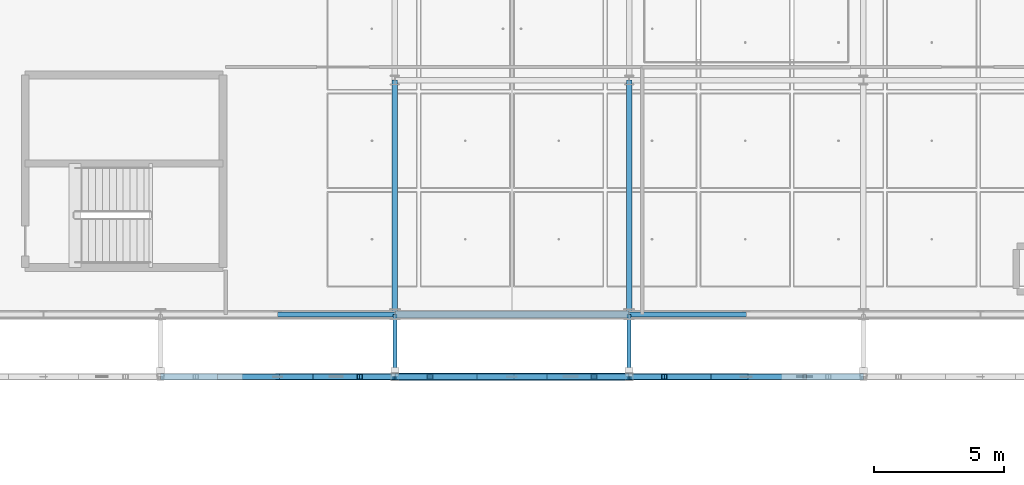
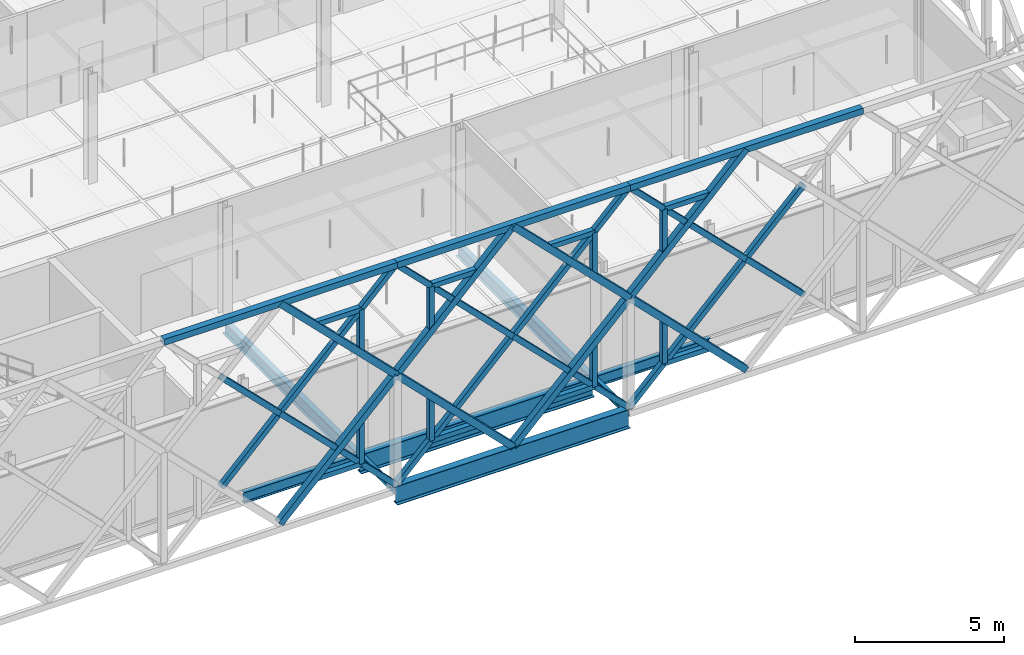
# One storey, part 29 of 140: 44 members, 8 beams.
"""IFC4 building model written with IfcOpenShell, lengths in metres."""

from ifc_helpers import new_model, si_unit, direction, frame, origin, origin_2d, place, context, subcontext, project, spatial, hollow_rectangle, i_section, extrude, material, material_profile, profile_set, type_object, element, save


model = new_model("IFC4")

# Units and contexts
model_context = context("Model", 3, precision=1e-05, world=origin(), true_north=direction((0.0, 1.0)))
body_context = subcontext(model_context, "Body", "Model", "MODEL_VIEW")
ifc_project = project(units=[si_unit("LENGTHUNIT", "METRE"), si_unit("AREAUNIT", "SQUARE_METRE"), si_unit("VOLUMEUNIT", "CUBIC_METRE"), si_unit("PLANEANGLEUNIT", "RADIAN"), si_unit("MASSUNIT", "GRAM", prefix="KILO"), si_unit("THERMODYNAMICTEMPERATUREUNIT", "KELVIN"), si_unit("POWERUNIT", "WATT")], contexts=[model_context])

# Site, building, storey
site_placement = place(None, origin())
site = spatial("IfcSite", under=ifc_project, at=site_placement, CompositionType="ELEMENT")
building_placement = place(site_placement, origin())
building = spatial("IfcBuilding", under=site, at=building_placement, Name="Tallowbark Science Centre", CompositionType="ELEMENT")
storey_placement = place(building_placement, frame((0.0, 0.0, 9.89990234375)))
storey = spatial("IfcBuildingStorey", under=building, at=storey_placement, Name="L02", CompositionType="ELEMENT", Elevation=9.89990234375)

# Beams
ifc_material_1 = material(Name="White Architectural Painted Steel Grade C350L0 (350 MPa)", Category="steel")
ifc_material_profile_1 = material_profile(ifc_material_1, i_section(OverallWidth=0.146484375, OverallDepth=0.256103515625, WebThickness=0.00634765625, FlangeThickness=0.010986328125, FilletRadius=0.0087890625, at=origin_2d()), Name="250UB37.3")
ifc_profile_set_1 = profile_set([ifc_material_profile_1], Name="White Architectural Painted Steel Grade C350L0 (350 MPa)")
beam_type_1 = type_object("IfcBeamType", Name="BM-OUT250", PredefinedType="BEAM", material=ifc_profile_set_1)
for number, where, z_axis, x_axis, name in (
    (1, (76.5, 4.5, -0.25), (0.0, -1.0, 0.0), (1.0, 0.0, 0.0), "Star Screen Outrigger Tie Beam S-23"),
    (2, (85.5, 4.5, -0.25), (0.0, -1.0, 0.0), (1.0, 0.0, 0.0), "Star Screen Outrigger Tie Beam S-25"),
):
    element("IfcBeam", number, at=place(storey_placement, frame(where, z_axis=z_axis, x_axis=x_axis)), inside=storey, type_object=beam_type_1, Name=name, PredefinedType="BEAM", context=body_context, shape_type="SweptSolid", body=[
        extrude(i_section(OverallWidth=0.146484375, OverallDepth=0.256103515625, WebThickness=0.00634765625, FlangeThickness=0.010986328125, FilletRadius=0.0087890625, at=origin_2d()), origin(), (0.0, 0.0, 1.0), 2.39990234375),
    ])
ifc_material_2 = material(Name="Structural Steel Grade 300PLUS (300 MPa)", Category="steel")
ifc_material_profile_2 = material_profile(ifc_material_2, i_section(OverallWidth=0.208740234375, OverallDepth=0.5283203125, WebThickness=0.009521484375, FlangeThickness=0.01318359375, FilletRadius=0.013916015625, at=origin_2d()), Name="530UB82.0")
ifc_profile_set_2 = profile_set([ifc_material_profile_2], Name="Structural Steel Grade 300PLUS (300 MPa)")
beam_type_2 = type_object("IfcBeamType", Name="BM-UB530B", PredefinedType="BEAM", material=ifc_profile_set_2)
for number, where, z_axis, x_axis, name in (
    (3, (76.5, 4.5, -0.444091796875), (0.0, 1.0, 0.0), (-1.0, 0.0, 0.0), "Primary Girder GRDY-L02-765-45-135"),
    (4, (85.5, 4.5, -0.444091796875), (0.0, 1.0, 0.0), (-1.0, 0.0, 0.0), "Primary Girder GRDY-L02-855-45-135"),
):
    element("IfcBeam", number, at=place(storey_placement, frame(where, z_axis=z_axis, x_axis=x_axis)), inside=storey, type_object=beam_type_2, Name=name, PredefinedType="BEAM", context=body_context, shape_type="SweptSolid", body=[
        extrude(i_section(OverallWidth=0.208740234375, OverallDepth=0.5283203125, WebThickness=0.009521484375, FlangeThickness=0.01318359375, FilletRadius=0.013916015625, at=origin_2d()), origin(), (0.0, 0.0, 1.0), 9.0),
    ])
ifc_material_profile_3 = material_profile(ifc_material_2, i_section(OverallWidth=0.27490234375, OverallDepth=0.7919921875, WebThickness=0.011962890625, FlangeThickness=0.02001953125, FilletRadius=0.013916015625, at=origin_2d()), Name="800WB146")
ifc_profile_set_3 = profile_set([ifc_material_profile_3], Name="Structural Steel Grade 300PLUS (300 MPa)")
beam_type_3 = type_object("IfcBeamType", Name="LNT-WB800", PredefinedType="LINTEL", material=ifc_profile_set_3)
for number, where, z_axis, x_axis, name in (
    (5, (76.5, 4.5, -0.575927734375), (1.0, 0.0, 0.0), (0.0, 1.0, 0.0), "Primary Girder GRDX-L02-765-855-45"),
    (6, (76.5, 2.10009765625, -0.39599609375), (1.0, 0.0, 0.0), (0.0, 1.0, 0.0), "South Portal Monumental Star Screen Header Beam"),
):
    element("IfcBeam", number, at=place(storey_placement, frame(where, z_axis=z_axis, x_axis=x_axis)), inside=storey, type_object=beam_type_3, Name=name, PredefinedType="LINTEL", context=body_context, shape_type="SweptSolid", body=[
        extrude(i_section(OverallWidth=0.27490234375, OverallDepth=0.7919921875, WebThickness=0.011962890625, FlangeThickness=0.02001953125, FilletRadius=0.013916015625, at=origin_2d()), origin(), (0.0, 0.0, 1.0), 9.0),
    ])

# Members
ifc_material_profile_4 = material_profile(ifc_material_1, hollow_rectangle(XDim=0.25, YDim=0.25, WallThickness=0.009033203125, at=origin_2d()), Name="250x250x9.0SHS")
ifc_profile_set_4 = profile_set([ifc_material_profile_4], Name="White Architectural Painted Steel Grade C350L0 (350 MPa)")
member_type_1 = type_object("IfcMemberType", Name="SCR-CHD200", PredefinedType="CHORD", material=ifc_profile_set_4)
member_1_placement = place(storey_placement, frame((67.5, 2.10009765625, 9.0), z_axis=(1.0, 0.0, 0.0), x_axis=(0.0, 1.0, 0.0)))
element("IfcMember", 7, at=member_1_placement, inside=storey, type_object=member_type_1, Name="Star Screen Frame Chord S-19", PredefinedType="CHORD", context=body_context, shape_type="SweptSolid", body=[
    extrude(hollow_rectangle(XDim=0.25, YDim=0.25, WallThickness=0.009033203125, at=origin_2d()), origin(), (0.0, 0.0, 1.0), 9.0),
])
for number, where, z_axis, x_axis, name in (
    (8, (72.0, 2.10009765625, 0.0), (0.707106781187, 0.0, 0.707106781187), (0.0, 1.0, 0.0), "Star Screen Octagram Diamond Chord S-19-1"),
    (9, (76.5, 2.10009765625, 4.5), (-0.707106781187, 0.0, 0.707106781187), (0.0, -1.0, 0.0), "Star Screen Octagram Diamond Chord S-19-2"),
):
    element("IfcMember", number, at=place(storey_placement, frame(where, z_axis=z_axis, x_axis=x_axis)), inside=storey, type_object=member_type_1, Name=name, PredefinedType="CHORD", context=body_context, shape_type="SweptSolid", body=[
        extrude(hollow_rectangle(XDim=0.25, YDim=0.25, WallThickness=0.009033203125, at=origin_2d()), origin(), (0.0, 0.0, 1.0), 6.364013671875),
    ])
member_2_placement = place(storey_placement, frame((76.5, 2.10009765625, 9.0), z_axis=(1.0, 0.0, 0.0), x_axis=(0.0, 1.0, 0.0)))
element("IfcMember", 10, at=member_2_placement, inside=storey, type_object=member_type_1, Name="Star Screen Frame Chord S-21", PredefinedType="CHORD", context=body_context, shape_type="SweptSolid", body=[
    extrude(hollow_rectangle(XDim=0.25, YDim=0.25, WallThickness=0.009033203125, at=origin_2d()), origin(), (0.0, 0.0, 1.0), 9.0),
])
for number, where, z_axis, x_axis, name in (
    (11, (81.0, 2.10009765625, 0.0), (0.707106781187, 0.0, 0.707106781187), (0.0, 1.0, 0.0), "Star Screen Octagram Diamond Chord S-21-1"),
    (12, (85.5, 2.10009765625, 4.5), (-0.707106781187, 0.0, 0.707106781187), (0.0, -1.0, 0.0), "Star Screen Octagram Diamond Chord S-21-2"),
    (13, (81.0, 2.10009765625, 9.0), (-0.707106781187, 0.0, -0.707106781187), (0.0, -1.0, 0.0), "Star Screen Octagram Diamond Chord S-21-3"),
    (14, (76.5, 2.10009765625, 4.5), (0.707106781187, 0.0, -0.707106781187), (0.0, 1.0, 0.0), "Star Screen Octagram Diamond Chord S-21-4"),
):
    element("IfcMember", number, at=place(storey_placement, frame(where, z_axis=z_axis, x_axis=x_axis)), inside=storey, type_object=member_type_1, Name=name, PredefinedType="CHORD", context=body_context, shape_type="SweptSolid", body=[
        extrude(hollow_rectangle(XDim=0.25, YDim=0.25, WallThickness=0.009033203125, at=origin_2d()), origin(), (0.0, 0.0, 1.0), 6.364013671875),
    ])
member_3_placement = place(storey_placement, frame((85.5, 2.10009765625, 9.0), z_axis=(1.0, 0.0, 0.0), x_axis=(0.0, 1.0, 0.0)))
element("IfcMember", 15, at=member_3_placement, inside=storey, type_object=member_type_1, Name="Star Screen Frame Chord S-23", PredefinedType="CHORD", context=body_context, shape_type="SweptSolid", body=[
    extrude(hollow_rectangle(XDim=0.25, YDim=0.25, WallThickness=0.009033203125, at=origin_2d()), origin(), (0.0, 0.0, 1.0), 9.0),
])
for number, where, z_axis, x_axis, name in (
    (16, (90.0, 2.10009765625, 9.0), (-0.707106781187, 0.0, -0.707106781187), (0.0, -1.0, 0.0), "Star Screen Octagram Diamond Chord S-23-3"),
    (17, (85.5, 2.10009765625, 4.5), (0.707106781187, 0.0, -0.707106781187), (0.0, 1.0, 0.0), "Star Screen Octagram Diamond Chord S-23-4"),
):
    element("IfcMember", number, at=place(storey_placement, frame(where, z_axis=z_axis, x_axis=x_axis)), inside=storey, type_object=member_type_1, Name=name, PredefinedType="CHORD", context=body_context, shape_type="SweptSolid", body=[
        extrude(hollow_rectangle(XDim=0.25, YDim=0.25, WallThickness=0.009033203125, at=origin_2d()), origin(), (0.0, 0.0, 1.0), 6.364013671875),
    ])
ifc_material_profile_5 = material_profile(ifc_material_1, hollow_rectangle(XDim=0.199951171875, YDim=0.199951171875, WallThickness=0.009033203125, at=origin_2d()), Name="200x200x9.0SHS")
ifc_profile_set_5 = profile_set([ifc_material_profile_5], Name="White Architectural Painted Steel Grade C350L0 (350 MPa)")
member_type_2 = type_object("IfcMemberType", Name="SCR-STAR139", PredefinedType="BRACE", material=ifc_profile_set_5)
member_4_placement = place(storey_placement, frame((69.75, 2.10009765625, 2.25), z_axis=(0.707106781187, 0.0, 0.707106781187), x_axis=(0.0, 1.0, 0.0)))
element("IfcMember", 18, at=member_4_placement, inside=storey, type_object=member_type_2, Name="Star Screen Continuous X-Diagonal D1M S-19", PredefinedType="BRACE", context=body_context, shape_type="SweptSolid", body=[
    extrude(hollow_rectangle(XDim=0.199951171875, YDim=0.199951171875, WallThickness=0.009033203125, at=origin_2d()), origin(), (0.0, 0.0, 1.0), 6.364013671875),
])
for number, where, z_axis, x_axis, name in (
    (19, (74.25, 2.10009765625, 6.75), (0.707106781187, 0.0, 0.707106781187), (0.0, 1.0, 0.0), "Star Screen Continuous X-Diagonal D1B S-19"),
    (20, (69.75, 2.10009765625, 6.75), (0.707106781187, 0.0, -0.707106781187), (0.0, 1.0, 0.0), "Star Screen Split X-Diagonal D2B S-19"),
    (21, (72.0, 2.10009765625, 4.5), (0.707106781187, 0.0, -0.707106781187), (0.0, 1.0, 0.0), "Star Screen Split X-Diagonal D2C S-19"),
    (22, (74.25, 2.10009765625, 2.25), (0.707106781187, 0.0, -0.707106781187), (0.0, 1.0, 0.0), "Star Screen Split X-Diagonal D2D S-19"),
    (23, (76.5, 2.10009765625, 0.0), (0.707106781187, 0.0, 0.707106781187), (0.0, 1.0, 0.0), "Star Screen Continuous X-Diagonal D1A S-21"),
):
    element("IfcMember", number, at=place(storey_placement, frame(where, z_axis=z_axis, x_axis=x_axis)), inside=storey, type_object=member_type_2, Name=name, PredefinedType="BRACE", context=body_context, shape_type="SweptSolid", body=[
        extrude(hollow_rectangle(XDim=0.199951171875, YDim=0.199951171875, WallThickness=0.009033203125, at=origin_2d()), origin(), (0.0, 0.0, 1.0), 3.181884765625),
    ])
member_5_placement = place(storey_placement, frame((78.75, 2.10009765625, 2.25), z_axis=(0.707106781187, 0.0, 0.707106781187), x_axis=(0.0, 1.0, 0.0)))
element("IfcMember", 24, at=member_5_placement, inside=storey, type_object=member_type_2, Name="Star Screen Continuous X-Diagonal D1M S-21", PredefinedType="BRACE", context=body_context, shape_type="SweptSolid", body=[
    extrude(hollow_rectangle(XDim=0.199951171875, YDim=0.199951171875, WallThickness=0.009033203125, at=origin_2d()), origin(), (0.0, 0.0, 1.0), 6.364013671875),
])
for number, where, z_axis, x_axis, name in (
    (25, (83.25, 2.10009765625, 6.75), (0.707106781187, 0.0, 0.707106781187), (0.0, 1.0, 0.0), "Star Screen Continuous X-Diagonal D1B S-21"),
    (26, (76.5, 2.10009765625, 9.0), (0.707106781187, 0.0, -0.707106781187), (0.0, 1.0, 0.0), "Star Screen Split X-Diagonal D2A S-21"),
    (27, (78.75, 2.10009765625, 6.75), (0.707106781187, 0.0, -0.707106781187), (0.0, 1.0, 0.0), "Star Screen Split X-Diagonal D2B S-21"),
    (28, (81.0, 2.10009765625, 4.5), (0.707106781187, 0.0, -0.707106781187), (0.0, 1.0, 0.0), "Star Screen Split X-Diagonal D2C S-21"),
    (29, (83.25, 2.10009765625, 2.25), (0.707106781187, 0.0, -0.707106781187), (0.0, 1.0, 0.0), "Star Screen Split X-Diagonal D2D S-21"),
    (30, (85.5, 2.10009765625, 0.0), (0.707106781187, 0.0, 0.707106781187), (0.0, 1.0, 0.0), "Star Screen Continuous X-Diagonal D1A S-23"),
):
    element("IfcMember", number, at=place(storey_placement, frame(where, z_axis=z_axis, x_axis=x_axis)), inside=storey, type_object=member_type_2, Name=name, PredefinedType="BRACE", context=body_context, shape_type="SweptSolid", body=[
        extrude(hollow_rectangle(XDim=0.199951171875, YDim=0.199951171875, WallThickness=0.009033203125, at=origin_2d()), origin(), (0.0, 0.0, 1.0), 3.181884765625),
    ])
member_6_placement = place(storey_placement, frame((87.75, 2.10009765625, 2.25), z_axis=(0.707106781187, 0.0, 0.707106781187), x_axis=(0.0, 1.0, 0.0)))
element("IfcMember", 31, at=member_6_placement, inside=storey, type_object=member_type_2, Name="Star Screen Continuous X-Diagonal D1M S-23", PredefinedType="BRACE", context=body_context, shape_type="SweptSolid", body=[
    extrude(hollow_rectangle(XDim=0.199951171875, YDim=0.199951171875, WallThickness=0.009033203125, at=origin_2d()), origin(), (0.0, 0.0, 1.0), 6.364013671875),
])
for number, where, z_axis, x_axis, name in (
    (32, (85.5, 2.10009765625, 9.0), (0.707106781187, 0.0, -0.707106781187), (0.0, 1.0, 0.0), "Star Screen Split X-Diagonal D2A S-23"),
    (33, (87.75, 2.10009765625, 6.75), (0.707106781187, 0.0, -0.707106781187), (0.0, 1.0, 0.0), "Star Screen Split X-Diagonal D2B S-23"),
    (34, (90.0, 2.10009765625, 4.5), (0.707106781187, 0.0, -0.707106781187), (0.0, 1.0, 0.0), "Star Screen Split X-Diagonal D2C S-23"),
):
    element("IfcMember", number, at=place(storey_placement, frame(where, z_axis=z_axis, x_axis=x_axis)), inside=storey, type_object=member_type_2, Name=name, PredefinedType="BRACE", context=body_context, shape_type="SweptSolid", body=[
        extrude(hollow_rectangle(XDim=0.199951171875, YDim=0.199951171875, WallThickness=0.009033203125, at=origin_2d()), origin(), (0.0, 0.0, 1.0), 3.181884765625),
    ])
ifc_material_profile_6 = material_profile(ifc_material_1, hollow_rectangle(XDim=0.199951171875, YDim=0.199951171875, WallThickness=0.009033203125, at=origin_2d()), Name="200x200x9.0SHS")
ifc_profile_set_6 = profile_set([ifc_material_profile_6], Name="White Architectural Painted Steel Grade C350L0 (350 MPa)")
member_type_3 = type_object("IfcMemberType", Name="SCR-SUB150", PredefinedType="BRACE", material=ifc_profile_set_6)
member_7_placement = place(storey_placement, frame((75.14990234375, 2.10009765625, 1.35009765625), z_axis=(-1.0, 0.0, 0.0), x_axis=(0.0, -1.0, 0.0)))
element("IfcMember", 35, at=member_7_placement, inside=storey, type_object=member_type_3, Name="Star Screen Octagram Point Ray S-19-3", PredefinedType="BRACE", context=body_context, shape_type="SweptSolid", body=[
    extrude(hollow_rectangle(XDim=0.199951171875, YDim=0.199951171875, WallThickness=0.009033203125, at=origin_2d()), origin(), (0.0, 0.0, 1.0), 1.7998046875),
])
member_8_placement = place(storey_placement, frame((75.14990234375, 2.10009765625, 1.35009765625), z_axis=(0.0, 0.0, 1.0), x_axis=(1.0, 0.0, 0.0)))
element("IfcMember", 36, at=member_8_placement, inside=storey, type_object=member_type_3, Name="Star Screen Octagram Point Ray S-19-4", PredefinedType="BRACE", context=body_context, shape_type="SweptSolid", body=[
    extrude(hollow_rectangle(XDim=0.199951171875, YDim=0.199951171875, WallThickness=0.009033203125, at=origin_2d()), origin(), (0.0, 0.0, 1.0), 1.800048828125),
])
member_9_placement = place(storey_placement, frame((75.14990234375, 2.10009765625, 7.650146484375), z_axis=(-1.0, 0.0, 0.0), x_axis=(0.0, -1.0, 0.0)))
element("IfcMember", 37, at=member_9_placement, inside=storey, type_object=member_type_3, Name="Star Screen Octagram Point Ray S-19-5", PredefinedType="BRACE", context=body_context, shape_type="SweptSolid", body=[
    extrude(hollow_rectangle(XDim=0.199951171875, YDim=0.199951171875, WallThickness=0.009033203125, at=origin_2d()), origin(), (0.0, 0.0, 1.0), 1.7998046875),
])
member_10_placement = place(storey_placement, frame((75.14990234375, 2.10009765625, 7.650146484375), z_axis=(0.0, 0.0, -1.0), x_axis=(1.0, 0.0, 0.0)))
element("IfcMember", 38, at=member_10_placement, inside=storey, type_object=member_type_3, Name="Star Screen Octagram Point Ray S-19-6", PredefinedType="BRACE", context=body_context, shape_type="SweptSolid", body=[
    extrude(hollow_rectangle(XDim=0.199951171875, YDim=0.199951171875, WallThickness=0.009033203125, at=origin_2d()), origin(), (0.0, 0.0, 1.0), 1.800048828125),
])
member_11_placement = place(storey_placement, frame((77.85009765625, 2.10009765625, 1.35009765625), z_axis=(1.0, 0.0, 0.0), x_axis=(0.0, 1.0, 0.0)))
element("IfcMember", 39, at=member_11_placement, inside=storey, type_object=member_type_3, Name="Star Screen Octagram Point Ray S-21-1", PredefinedType="BRACE", context=body_context, shape_type="SweptSolid", body=[
    extrude(hollow_rectangle(XDim=0.199951171875, YDim=0.199951171875, WallThickness=0.009033203125, at=origin_2d()), origin(), (0.0, 0.0, 1.0), 1.7998046875),
])
member_12_placement = place(storey_placement, frame((77.85009765625, 2.10009765625, 1.35009765625), z_axis=(0.0, 0.0, 1.0), x_axis=(1.0, 0.0, 0.0)))
element("IfcMember", 40, at=member_12_placement, inside=storey, type_object=member_type_3, Name="Star Screen Octagram Point Ray S-21-2", PredefinedType="BRACE", context=body_context, shape_type="SweptSolid", body=[
    extrude(hollow_rectangle(XDim=0.199951171875, YDim=0.199951171875, WallThickness=0.009033203125, at=origin_2d()), origin(), (0.0, 0.0, 1.0), 1.800048828125),
])
member_13_placement = place(storey_placement, frame((84.14990234375, 2.10009765625, 1.35009765625), z_axis=(-1.0, 0.0, 0.0), x_axis=(0.0, -1.0, 0.0)))
element("IfcMember", 41, at=member_13_placement, inside=storey, type_object=member_type_3, Name="Star Screen Octagram Point Ray S-21-3", PredefinedType="BRACE", context=body_context, shape_type="SweptSolid", body=[
    extrude(hollow_rectangle(XDim=0.199951171875, YDim=0.199951171875, WallThickness=0.009033203125, at=origin_2d()), origin(), (0.0, 0.0, 1.0), 1.7998046875),
])
member_14_placement = place(storey_placement, frame((84.14990234375, 2.10009765625, 1.35009765625), z_axis=(0.0, 0.0, 1.0), x_axis=(1.0, 0.0, 0.0)))
element("IfcMember", 42, at=member_14_placement, inside=storey, type_object=member_type_3, Name="Star Screen Octagram Point Ray S-21-4", PredefinedType="BRACE", context=body_context, shape_type="SweptSolid", body=[
    extrude(hollow_rectangle(XDim=0.199951171875, YDim=0.199951171875, WallThickness=0.009033203125, at=origin_2d()), origin(), (0.0, 0.0, 1.0), 1.800048828125),
])
member_15_placement = place(storey_placement, frame((84.14990234375, 2.10009765625, 7.650146484375), z_axis=(-1.0, 0.0, 0.0), x_axis=(0.0, -1.0, 0.0)))
element("IfcMember", 43, at=member_15_placement, inside=storey, type_object=member_type_3, Name="Star Screen Octagram Point Ray S-21-5", PredefinedType="BRACE", context=body_context, shape_type="SweptSolid", body=[
    extrude(hollow_rectangle(XDim=0.199951171875, YDim=0.199951171875, WallThickness=0.009033203125, at=origin_2d()), origin(), (0.0, 0.0, 1.0), 1.7998046875),
])
member_16_placement = place(storey_placement, frame((84.14990234375, 2.10009765625, 7.650146484375), z_axis=(0.0, 0.0, -1.0), x_axis=(1.0, 0.0, 0.0)))
element("IfcMember", 44, at=member_16_placement, inside=storey, type_object=member_type_3, Name="Star Screen Octagram Point Ray S-21-6", PredefinedType="BRACE", context=body_context, shape_type="SweptSolid", body=[
    extrude(hollow_rectangle(XDim=0.199951171875, YDim=0.199951171875, WallThickness=0.009033203125, at=origin_2d()), origin(), (0.0, 0.0, 1.0), 1.800048828125),
])
member_17_placement = place(storey_placement, frame((77.85009765625, 2.10009765625, 7.650146484375), z_axis=(1.0, 0.0, 0.0), x_axis=(0.0, 1.0, 0.0)))
element("IfcMember", 45, at=member_17_placement, inside=storey, type_object=member_type_3, Name="Star Screen Octagram Point Ray S-21-7", PredefinedType="BRACE", context=body_context, shape_type="SweptSolid", body=[
    extrude(hollow_rectangle(XDim=0.199951171875, YDim=0.199951171875, WallThickness=0.009033203125, at=origin_2d()), origin(), (0.0, 0.0, 1.0), 1.7998046875),
])
member_18_placement = place(storey_placement, frame((77.85009765625, 2.10009765625, 7.650146484375), z_axis=(0.0, 0.0, -1.0), x_axis=(1.0, 0.0, 0.0)))
element("IfcMember", 46, at=member_18_placement, inside=storey, type_object=member_type_3, Name="Star Screen Octagram Point Ray S-21-8", PredefinedType="BRACE", context=body_context, shape_type="SweptSolid", body=[
    extrude(hollow_rectangle(XDim=0.199951171875, YDim=0.199951171875, WallThickness=0.009033203125, at=origin_2d()), origin(), (0.0, 0.0, 1.0), 1.800048828125),
])
member_19_placement = place(storey_placement, frame((86.85009765625, 2.10009765625, 1.35009765625), z_axis=(1.0, 0.0, 0.0), x_axis=(0.0, 1.0, 0.0)))
element("IfcMember", 47, at=member_19_placement, inside=storey, type_object=member_type_3, Name="Star Screen Octagram Point Ray S-23-1", PredefinedType="BRACE", context=body_context, shape_type="SweptSolid", body=[
    extrude(hollow_rectangle(XDim=0.199951171875, YDim=0.199951171875, WallThickness=0.009033203125, at=origin_2d()), origin(), (0.0, 0.0, 1.0), 1.7998046875),
])
member_20_placement = place(storey_placement, frame((86.85009765625, 2.10009765625, 1.35009765625), z_axis=(0.0, 0.0, 1.0), x_axis=(1.0, 0.0, 0.0)))
element("IfcMember", 48, at=member_20_placement, inside=storey, type_object=member_type_3, Name="Star Screen Octagram Point Ray S-23-2", PredefinedType="BRACE", context=body_context, shape_type="SweptSolid", body=[
    extrude(hollow_rectangle(XDim=0.199951171875, YDim=0.199951171875, WallThickness=0.009033203125, at=origin_2d()), origin(), (0.0, 0.0, 1.0), 1.800048828125),
])
member_21_placement = place(storey_placement, frame((86.85009765625, 2.10009765625, 7.650146484375), z_axis=(1.0, 0.0, 0.0), x_axis=(0.0, 1.0, 0.0)))
element("IfcMember", 49, at=member_21_placement, inside=storey, type_object=member_type_3, Name="Star Screen Octagram Point Ray S-23-7", PredefinedType="BRACE", context=body_context, shape_type="SweptSolid", body=[
    extrude(hollow_rectangle(XDim=0.199951171875, YDim=0.199951171875, WallThickness=0.009033203125, at=origin_2d()), origin(), (0.0, 0.0, 1.0), 1.7998046875),
])
member_22_placement = place(storey_placement, frame((86.85009765625, 2.10009765625, 7.650146484375), z_axis=(0.0, 0.0, -1.0), x_axis=(1.0, 0.0, 0.0)))
element("IfcMember", 50, at=member_22_placement, inside=storey, type_object=member_type_3, Name="Star Screen Octagram Point Ray S-23-8", PredefinedType="BRACE", context=body_context, shape_type="SweptSolid", body=[
    extrude(hollow_rectangle(XDim=0.199951171875, YDim=0.199951171875, WallThickness=0.009033203125, at=origin_2d()), origin(), (0.0, 0.0, 1.0), 1.800048828125),
])

# Beams
ifc_material_profile_7 = material_profile(ifc_material_2, i_section(OverallWidth=0.18994140625, OverallDepth=0.453857421875, WebThickness=0.008544921875, FlangeThickness=0.0126953125, FilletRadius=0.011474609375, at=origin_2d()), Name="460UB67.1")
ifc_profile_set_7 = profile_set([ifc_material_profile_7], Name="Structural Steel Grade 300PLUS (300 MPa)")
beam_type_4 = type_object("IfcBeamType", Name="SPN-UB460", PredefinedType="SPANDREL", material=ifc_profile_set_7)
for number, where, z_axis, x_axis, name in (
    (51, (72.0, 4.5, -0.40673828125), (1.0, 0.0, 0.0), (0.0, 1.0, 0.0), "Primary Girder GRDX-L02-720-765-45"),
    (52, (85.5, 4.5, -0.40673828125), (1.0, 0.0, 0.0), (0.0, 1.0, 0.0), "Primary Girder GRDX-L02-855-900-45"),
):
    element("IfcBeam", number, at=place(storey_placement, frame(where, z_axis=z_axis, x_axis=x_axis)), inside=storey, type_object=beam_type_4, Name=name, PredefinedType="SPANDREL", context=body_context, shape_type="SweptSolid", body=[
        extrude(i_section(OverallWidth=0.18994140625, OverallDepth=0.453857421875, WebThickness=0.008544921875, FlangeThickness=0.0126953125, FilletRadius=0.011474609375, at=origin_2d()), origin(), (0.0, 0.0, 1.0), 4.5),
    ])

save(model, "model.ifc")
